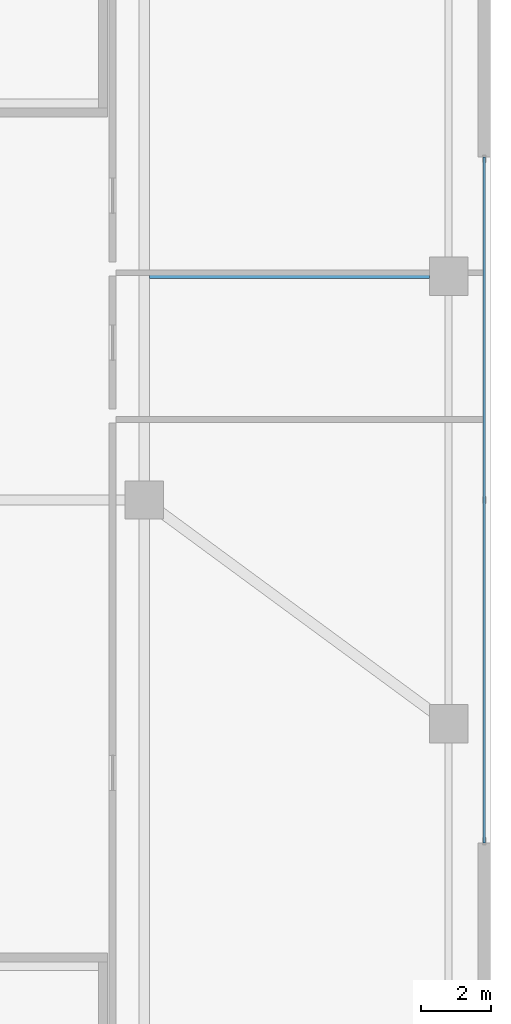
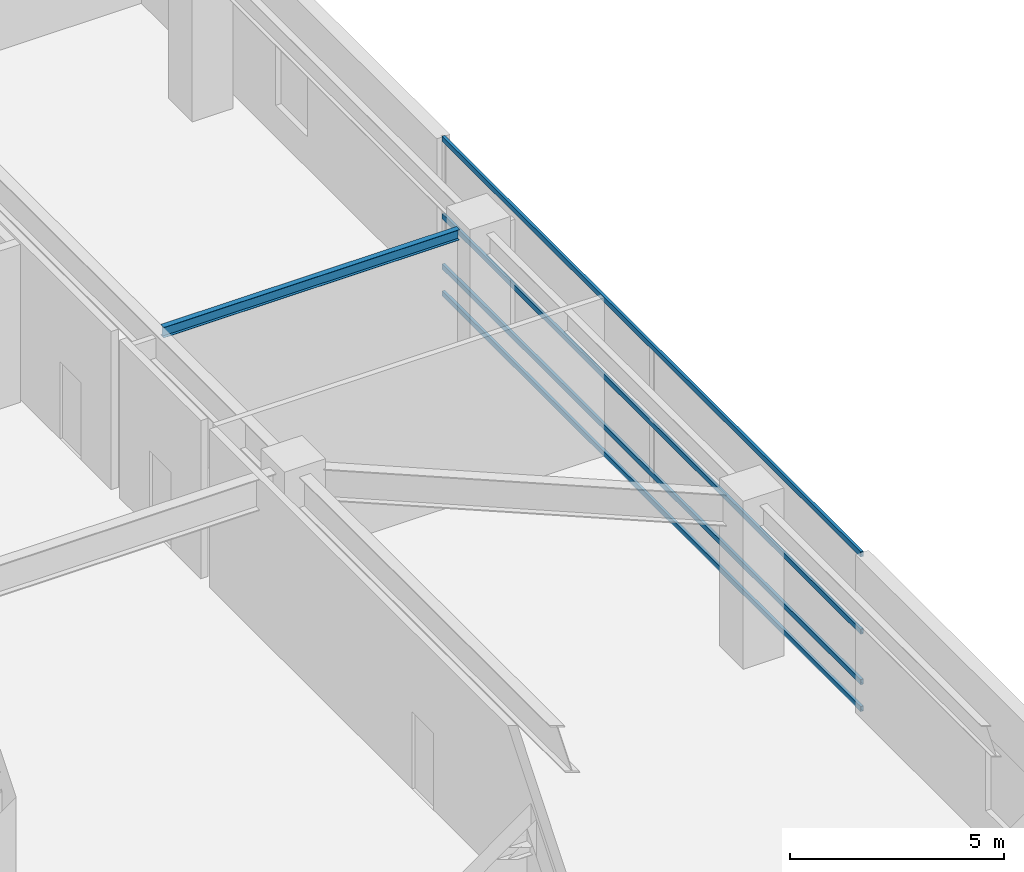
# One storey, part 30 of 38: 4 members, 1 beam, 1 element without a shape of its own.
"""IFC4 building model written with IfcOpenShell, lengths in metres."""

from ifc_helpers import new_model, si_unit, direction, frame, origin, origin_2d, place, context, subcontext, project, spatial, hollow_rectangle, i_section, extrude, source, transform, mapped, material, layer, layer_set, material_profile, profile_set, type_object, element, aggregate, save


model = new_model("IFC4")

# Units and contexts
model_context = context("Model", 3, precision=1e-05, world=origin(), true_north=direction((0.0, 1.0)))
body_context = subcontext(model_context, "Body", "Model", "MODEL_VIEW")
ifc_project = project(units=[si_unit("LENGTHUNIT", "METRE"), si_unit("AREAUNIT", "SQUARE_METRE"), si_unit("VOLUMEUNIT", "CUBIC_METRE"), si_unit("PLANEANGLEUNIT", "RADIAN"), si_unit("MASSUNIT", "GRAM", prefix="KILO"), si_unit("THERMODYNAMICTEMPERATUREUNIT", "KELVIN"), si_unit("POWERUNIT", "WATT")], contexts=[model_context])

# Site, building, storey
site_placement = place(None, origin())
site = spatial("IfcSite", under=ifc_project, at=site_placement, CompositionType="ELEMENT")
building_placement = place(site_placement, origin())
building = spatial("IfcBuilding", under=site, at=building_placement, Name="Yuzanri Waterfront Tower", CompositionType="ELEMENT")
storey_placement = place(building_placement, frame((0.0, 0.0, 10.199951171875)))
storey = spatial("IfcBuildingStorey", under=building, at=storey_placement, Name="L03", CompositionType="ELEMENT", Elevation=10.199951171875)

# Beam
ifc_material_1 = material(Name="Steel Q355B", Category="steel")
ifc_material_profile_1 = material_profile(ifc_material_1, i_section(OverallWidth=0.14990234375, OverallDepth=0.300048828125, WebThickness=0.006591796875, FlangeThickness=0.009033203125, at=origin_2d()), Name="HN 300x150x6.5x9")
ifc_profile_set_1 = profile_set([ifc_material_profile_1], Name="Steel Q355B")
beam_type = type_object("IfcBeamType", Name="Balcony Outlooker Joist Q355B HN 300x150", PredefinedType="JOIST", material=ifc_profile_set_1)
shared_shape_1 = source(origin(), body_context, "Body", "SweptSolid", [
    extrude(i_section(OverallWidth=0.14990234375, OverallDepth=0.300048828125, WebThickness=0.006591796875, FlangeThickness=0.009033203125, at=origin_2d()), origin(), (0.0, 0.0, 1.0), 8.0),
])
beam_placement = place(storey_placement, frame((62.25, 32.199951171875, 4.3701171875), z_axis=(1.0, 0.0, 0.0), x_axis=(0.0, 1.0, 0.0)))
element("IfcBeam", 1, at=beam_placement, inside=storey, type_object=beam_type, Name="L03 Podium East Secondary Joist", PredefinedType="JOIST", context=body_context, shape_type="MappedRepresentation", body=[
    mapped(shared_shape_1, transform((0.0, 0.0, 0.0), scale=1.0)),
])

# Curtain wall, members
ifc_material_2 = material(Name="Anodized Architectural Bronze", Category="metal")
ifc_layer = layer(ifc_material_2, 0.159912109375)
ifc_layer_set = layer_set([ifc_layer], Name="Anodized Architectural Bronze")
curtain_wall_type = type_object("IfcCurtainWallType", Name="Anodized Bronze Podium Waterfront Double-Height Unitized Curtain Wall 8400", PredefinedType="NOTDEFINED", material=ifc_layer_set)
curtain_wall_placement = place(storey_placement, origin())
curtain_wall = element("IfcCurtainWall", 2, at=curtain_wall_placement, inside=storey, type_object=curtain_wall_type, Name="L03 Curtain Wall CW-L03-E", PredefinedType="NOTDEFINED")
ifc_material_3 = material(Name="Anodized Architectural Bronze", Category="metal")
ifc_material_profile_2 = material_profile(ifc_material_3, hollow_rectangle(XDim=0.074951171875, YDim=0.14990234375, WallThickness=0.00390625, at=origin_2d()), Name="CWT 75x150")
ifc_profile_set_2 = profile_set([ifc_material_profile_2], Name="Anodized Architectural Bronze")
member_type = type_object("IfcMemberType", Name="Anodized Bronze Primary Curtain-Wall Transom 75x150", PredefinedType="USERDEFINED", material=ifc_profile_set_2)
shared_shape_2 = source(origin(), body_context, "Body", "SweptSolid", [
    extrude(hollow_rectangle(XDim=0.074951171875, YDim=0.14990234375, WallThickness=0.00390625, at=origin_2d()), origin(), (0.0, 0.0, 1.0), 19.60009765625),
])
member_1_placement = place(storey_placement, frame((71.820068359375, 16.0, 0.050048828125), z_axis=(0.0, 1.0, 0.0), x_axis=(-1.0, 0.0, 0.0)))
member_1 = element("IfcMember", 3, at=member_1_placement, type_object=member_type, Name="CW-L03-E Transom 1", ObjectType="TRANSOM", PredefinedType="USERDEFINED", context=body_context, shape_type="MappedRepresentation", body=[
    mapped(shared_shape_2, transform((0.0, 0.0, 0.0), scale=1.0)),
])
member_2_placement = place(storey_placement, frame((71.820068359375, 16.0, 0.820068359375), z_axis=(0.0, 1.0, 0.0), x_axis=(-1.0, 0.0, 0.0)))
member_2 = element("IfcMember", 4, at=member_2_placement, type_object=member_type, Name="CW-L03-E Transom 2", ObjectType="TRANSOM", PredefinedType="USERDEFINED", context=body_context, shape_type="MappedRepresentation", body=[
    mapped(shared_shape_2, transform((0.0, 0.0, 0.0), scale=1.0)),
])
member_3_placement = place(storey_placement, frame((71.820068359375, 16.0, 2.260009765625), z_axis=(0.0, 1.0, 0.0), x_axis=(-1.0, 0.0, 0.0)))
member_3 = element("IfcMember", 5, at=member_3_placement, type_object=member_type, Name="CW-L03-E Transom 3", ObjectType="TRANSOM", PredefinedType="USERDEFINED", context=body_context, shape_type="MappedRepresentation", body=[
    mapped(shared_shape_2, transform((0.0, 0.0, 0.0), scale=1.0)),
])
member_4_placement = place(storey_placement, frame((71.820068359375, 16.0, 4.469970703125), z_axis=(0.0, 1.0, 0.0), x_axis=(-1.0, 0.0, 0.0)))
member_4 = element("IfcMember", 6, at=member_4_placement, type_object=member_type, Name="CW-L03-E Transom 4", ObjectType="TRANSOM", PredefinedType="USERDEFINED", context=body_context, shape_type="MappedRepresentation", body=[
    mapped(shared_shape_2, transform((0.0, 0.0, 0.0), scale=1.0)),
])
aggregate(curtain_wall, [member_1, member_2, member_3, member_4])

save(model, "model.ifc")
